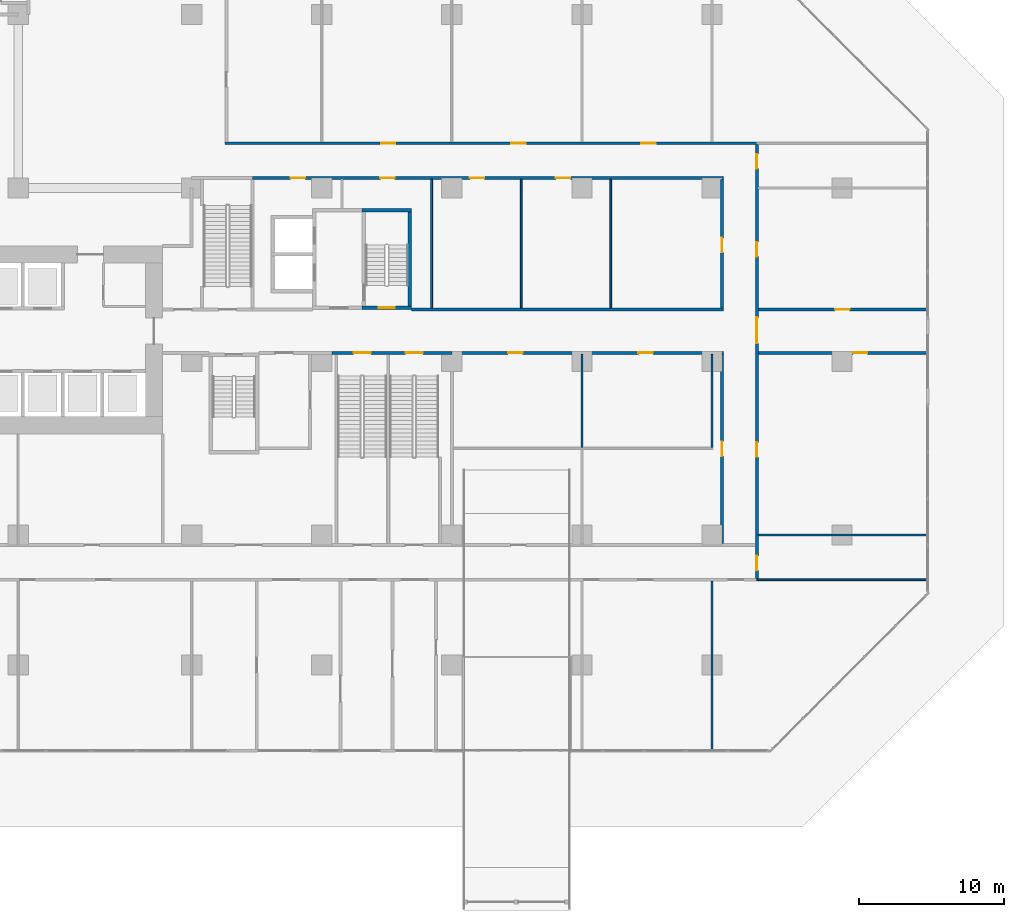
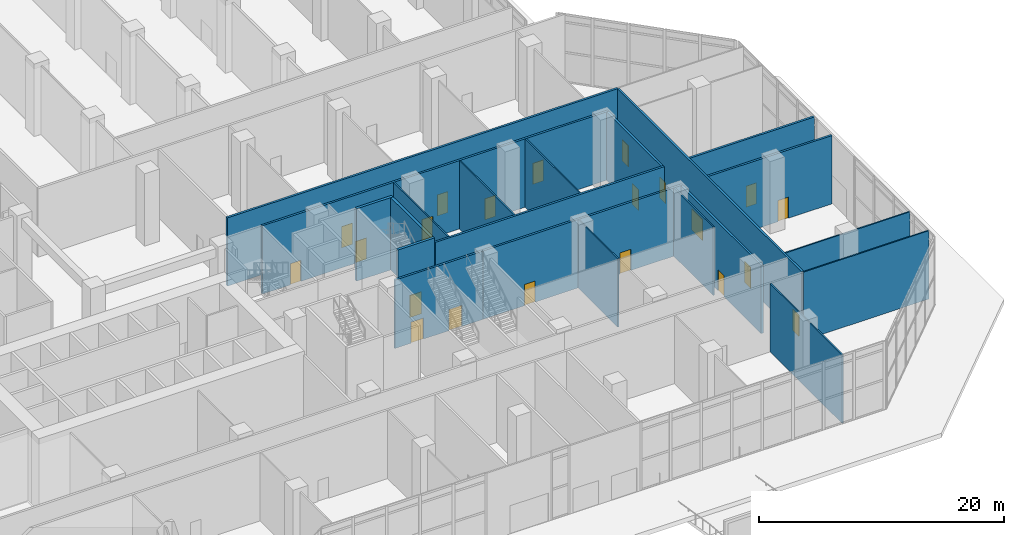
# One storey, part 22 of 34: 21 doors, 21 walls, 21 openings.
"""IFC4 building model written with IfcOpenShell, lengths in metres."""

from ifc_helpers import new_model, si_unit, direction, frame, frame_2d, origin, place, context, subcontext, project, spatial, rectangle, extrude, material, layer, layer_set, type_object, element, fill, save


model = new_model("IFC4")

# Units and contexts
model_context = context("Model", 3, precision=1e-05, world=origin(), true_north=direction((0.0, 1.0)))
body_context = subcontext(model_context, "Body", "Model", "MODEL_VIEW")
ifc_project = project(units=[si_unit("LENGTHUNIT", "METRE"), si_unit("AREAUNIT", "SQUARE_METRE"), si_unit("VOLUMEUNIT", "CUBIC_METRE"), si_unit("PLANEANGLEUNIT", "RADIAN"), si_unit("MASSUNIT", "GRAM", prefix="KILO")], contexts=[model_context])

# Site, building, storey
site_placement = place(None, origin())
site = spatial("IfcSite", under=ifc_project, at=site_placement, CompositionType="ELEMENT")
building_placement = place(site_placement, origin())
building = spatial("IfcBuilding", under=site, at=building_placement, Name="Chenar Terraces", CompositionType="ELEMENT")
storey_placement = place(building_placement, origin())
storey = spatial("IfcBuildingStorey", under=building, at=storey_placement, Name="L00", CompositionType="ELEMENT", Elevation=0.0)

# Walls
ifc_material_1 = material(Name="Gypsum board on steel studs with mineral wool", Category="steel")
ifc_layer_1 = layer(ifc_material_1, 0.125)
ifc_layer_set_1 = layer_set([ifc_layer_1], Name="Gypsum board on steel studs with mineral wool")
wall_type_1 = type_object("IfcWallType", Name="Acoustic partition 125", PredefinedType="PARTITIONING", material=ifc_layer_set_1)
for number, where, z_axis, x_axis, name in (
    (1, (52.60009765625, 15.699951171875, 0.0), (0.0, 0.0, 1.0), (0.0, 1.0, 0.0), "Partition L00-113"),
    (2, (58.800048828125, 15.699951171875, 0.0), (0.0, 0.0, 1.0), (0.0, 1.0, 0.0), "Partition L00-121"),
):
    element("IfcWall", number, at=place(storey_placement, frame(where, z_axis=z_axis, x_axis=x_axis)), inside=storey, type_object=wall_type_1, Name=name, PredefinedType="PARTITIONING", context=body_context, shape_type="SweptSolid", body=[
        extrude(rectangle(XDim=8.900146484375, YDim=0.125, at=frame_2d((4.4501953125, 0.0))), origin(), (0.0, 0.0, 1.0), 6.800048828125),
    ])
wall_1_placement = place(storey_placement, frame((63.0, 6.06201171875, 0.0), z_axis=(0.0, 0.0, 1.0), x_axis=(0.0, 1.0, 0.0)))
element("IfcWall", 3, at=wall_1_placement, inside=storey, type_object=wall_type_1, Name="Partition L00-124", PredefinedType="PARTITIONING", context=body_context, shape_type="SweptSolid", body=[
    extrude(rectangle(XDim=6.43798828125, YDim=0.125, at=frame_2d((3.218994140625, 0.0))), origin(), (0.0, 0.0, 1.0), 6.800048828125),
])
wall_2_placement = place(storey_placement, frame((65.0, 15.699951171875, 0.0), z_axis=(0.0, 0.0, 1.0), x_axis=(0.0, 1.0, 0.0)))
element("IfcWall", 4, at=wall_2_placement, inside=storey, type_object=wall_type_1, Name="Partition L00-127", PredefinedType="PARTITIONING", context=body_context, shape_type="SweptSolid", body=[
    extrude(rectangle(XDim=8.900146484375, YDim=0.125, at=frame_2d((4.4501953125, 0.0))), origin(), (0.0, 0.0, 1.0), 6.800048828125),
])
wall_3_placement = place(storey_placement, frame((72.0, -14.925048828125, 0.0), z_axis=(0.0, 0.0, 1.0), x_axis=(0.0, 1.0, 0.0)))
element("IfcWall", 5, at=wall_3_placement, inside=storey, type_object=wall_type_1, Name="Partition L00-128", PredefinedType="PARTITIONING", context=body_context, shape_type="SweptSolid", body=[
    extrude(rectangle(XDim=11.72509765625, YDim=0.125, at=frame_2d((5.862548828125, 0.0))), origin(), (0.0, 0.0, 1.0), 6.800048828125),
])
wall_4_placement = place(storey_placement, frame((72.0, 6.06201171875, 0.0), z_axis=(0.0, 0.0, 1.0), x_axis=(0.0, 1.0, 0.0)))
element("IfcWall", 6, at=wall_4_placement, inside=storey, type_object=wall_type_1, Name="Partition L00-129", PredefinedType="PARTITIONING", context=body_context, shape_type="SweptSolid", body=[
    extrude(rectangle(XDim=6.43798828125, YDim=0.125, at=frame_2d((3.218994140625, 0.0))), origin(), (0.0, 0.0, 1.0), 6.800048828125),
])
wall_5_placement = place(storey_placement, frame((75.10009765625, -3.10009765625, 0.0), z_axis=(0.0, 0.0, 1.0), x_axis=(1.0, 0.0, 0.0)))
element("IfcWall", 7, at=wall_5_placement, inside=storey, type_object=wall_type_1, Name="Partition L00-134", PredefinedType="PARTITIONING", context=body_context, shape_type="SweptSolid", body=[
    extrude(rectangle(XDim=11.824951171875, YDim=0.125, at=frame_2d((5.91259765625, 0.0))), origin(), (0.0, 0.0, 1.0), 6.800048828125),
])
wall_6_placement = place(storey_placement, frame((75.199951171875, 0.0, 0.0), z_axis=(0.0, 0.0, 1.0), x_axis=(1.0, 0.0, 0.0)))
element("IfcWall", 8, at=wall_6_placement, inside=storey, type_object=wall_type_1, Name="Partition L00-137", PredefinedType="PARTITIONING", context=body_context, shape_type="SweptSolid", body=[
    extrude(rectangle(XDim=11.72509765625, YDim=0.125, at=frame_2d((5.862548828125, 0.0))), origin(), (0.0, 0.0, 1.0), 6.800048828125),
])

# Wall, opening, door
ifc_material_2 = material(Name="Concrete C70/85", Category="concrete")
ifc_layer_2 = layer(ifc_material_2, 0.25)
ifc_layer_set_2 = layer_set([ifc_layer_2], Name="Concrete C70/85")
wall_type_2 = type_object("IfcWallType", Name="Core wall 250 Concrete C70/85", PredefinedType="SHEAR", material=ifc_layer_set_2)
wall_7_placement = place(storey_placement, frame((47.77490234375, 15.72509765625, 0.0), z_axis=(0.0, 0.0, 1.0), x_axis=(1.0, 0.0, 0.0)))
wall_7 = element("IfcWall", 9, at=wall_7_placement, inside=storey, type_object=wall_type_2, Name="Core wall ST3_S L00", PredefinedType="SHEAR", context=body_context, shape_type="SweptSolid", body=[
    extrude(rectangle(XDim=3.4501953125, YDim=0.25, at=frame_2d((1.72509765625, 0.0))), origin(), (0.0, 0.0, 1.0), 7.199951171875),
])
opening_1_placement = place(wall_7_placement, frame((1.175048828125, 0.0, 0.0)))
opening_1 = element("IfcOpeningElement", 10, at=opening_1_placement, cuts=wall_7, Name="Opening DL00-C8", PredefinedType="OPENING", context=body_context, shape_type="SweptSolid", body=[
    extrude(rectangle(XDim=1.10009765625, YDim=2.199951171875, at=frame_2d((0.550048828125, 1.10009765625))), frame((0.0, 0.135009765625, 0.0), z_axis=(0.0, -1.0, 0.0), x_axis=(1.0, 0.0, 0.0)), (0.0, 0.0, 1.0), 0.27001953125),
])
ifc_material_3 = material(Name="Steel-framed fire-resisting door leaf", Category="steel")
door_type_1 = type_object("IfcDoorType", Name="Stair fire door FD60 1100 x 2200", OperationType="SINGLE_SWING_LEFT", PredefinedType="DOOR", material=ifc_material_3)
door_1_placement = place(opening_1_placement, frame((1.10009765625, 0.0, 0.0), z_axis=(0.0, 0.0, 1.0), x_axis=(-1.0, 0.0, 0.0)))
door_1 = element("IfcDoor", 11, at=door_1_placement, inside=storey, type_object=door_type_1, Name="Stair door DL00-C8", OperationType="SINGLE_SWING_LEFT", OverallHeight=2.199951171875, OverallWidth=1.10009765625, PredefinedType="DOOR", context=body_context, shape_type="SweptSolid", body=[
    extrude(rectangle(XDim=1.10009765625, YDim=2.199951171875, at=frame_2d((0.550048828125, 1.10009765625))), frame((0.0, 0.02490234375, 0.0), z_axis=(0.0, -1.0, 0.0), x_axis=(1.0, 0.0, 0.0)), (0.0, 0.0, 1.0), 0.050048828125),
])
fill(opening_1, door_1)

# Walls
wall_8_placement = place(storey_placement, frame((47.77490234375, 22.47509765625, 0.0), z_axis=(0.0, 0.0, 1.0), x_axis=(1.0, 0.0, 0.0)))
element("IfcWall", 12, at=wall_8_placement, inside=storey, type_object=wall_type_2, Name="Core wall ST3_N L00", PredefinedType="SHEAR", context=body_context, shape_type="SweptSolid", body=[
    extrude(rectangle(XDim=3.4501953125, YDim=0.25, at=frame_2d((1.72509765625, 0.0))), origin(), (0.0, 0.0, 1.0), 7.199951171875),
])
wall_9_placement = place(storey_placement, frame((51.10009765625, 15.85009765625, 0.0), z_axis=(0.0, 0.0, 1.0), x_axis=(0.0, 1.0, 0.0)))
element("IfcWall", 13, at=wall_9_placement, inside=storey, type_object=wall_type_2, Name="Core wall ST3_E L00", PredefinedType="SHEAR", context=body_context, shape_type="SweptSolid", body=[
    extrude(rectangle(XDim=6.5, YDim=0.25, at=frame_2d((3.25, 0.0))), origin(), (0.0, 0.0, 1.0), 7.199951171875),
])

# Wall, openings, doors
ifc_material_4 = material(Name="Gypsum board on steel studs with fire boards", Category="steel")
ifc_layer_3 = layer(ifc_material_4, 0.199951171875)
ifc_layer_set_3 = layer_set([ifc_layer_3], Name="Gypsum board on steel studs with fire boards")
wall_type_3 = type_object("IfcWallType", Name="Corridor wall 200", PredefinedType="PARTITIONING", material=ifc_layer_set_3)
wall_10_placement = place(storey_placement, frame((38.300048828125, 27.10009765625, 0.0), z_axis=(0.0, 0.0, 1.0), x_axis=(1.0, 0.0, 0.0)))
wall_10 = element("IfcWall", 14, at=wall_10_placement, inside=storey, type_object=wall_type_3, Name="Partition L00-094", PredefinedType="PARTITIONING", context=body_context, shape_type="SweptSolid", body=[
    extrude(rectangle(XDim=36.800048828125, YDim=0.199951171875, at=frame_2d((18.39990234375, 0.0))), origin(), (0.0, 0.0, 1.0), 6.800048828125),
])
opening_2_placement = place(wall_10_placement, frame((10.800048828125, 0.0, 0.0)))
opening_2 = element("IfcOpeningElement", 15, at=opening_2_placement, cuts=wall_10, Name="Opening DL00-28", PredefinedType="OPENING", context=body_context, shape_type="SweptSolid", body=[
    extrude(rectangle(XDim=1.0, YDim=2.10009765625, at=frame_2d((0.5, 1.050048828125))), frame((0.0, 0.10986328125, 0.0), z_axis=(0.0, -1.0, 0.0), x_axis=(1.0, 0.0, 0.0)), (0.0, 0.0, 1.0), 0.219970703125),
])
opening_3_placement = place(wall_10_placement, frame((19.800048828125, 0.0, 0.0)))
opening_3 = element("IfcOpeningElement", 16, at=opening_3_placement, cuts=wall_10, Name="Opening DL00-30", PredefinedType="OPENING", context=body_context, shape_type="SweptSolid", body=[
    extrude(rectangle(XDim=1.0, YDim=2.10009765625, at=frame_2d((0.5, 1.050048828125))), frame((0.0, 0.10986328125, 0.0), z_axis=(0.0, -1.0, 0.0), x_axis=(1.0, 0.0, 0.0)), (0.0, 0.0, 1.0), 0.219970703125),
])
opening_4_placement = place(wall_10_placement, frame((28.800048828125, 0.0, 0.0)))
opening_4 = element("IfcOpeningElement", 17, at=opening_4_placement, cuts=wall_10, Name="Opening DL00-32", PredefinedType="OPENING", context=body_context, shape_type="SweptSolid", body=[
    extrude(rectangle(XDim=1.0, YDim=2.10009765625, at=frame_2d((0.5, 1.050048828125))), frame((0.0, 0.10986328125, 0.0), z_axis=(0.0, -1.0, 0.0), x_axis=(1.0, 0.0, 0.0)), (0.0, 0.0, 1.0), 0.219970703125),
])
ifc_material_5 = material(Name="Steel-framed fire-resisting door leaf", Category="steel")
door_type_2 = type_object("IfcDoorType", Name="Fire door FD60 1000 x 2100", OperationType="SINGLE_SWING_LEFT", PredefinedType="DOOR", material=ifc_material_5)
door_2_placement = place(opening_2_placement, origin())
door_2 = element("IfcDoor", 18, at=door_2_placement, inside=storey, type_object=door_type_2, Name="Door DL00-28", OperationType="SINGLE_SWING_RIGHT", OverallHeight=2.10009765625, OverallWidth=1.0, PredefinedType="DOOR", context=body_context, shape_type="SweptSolid", body=[
    extrude(rectangle(XDim=1.0, YDim=2.10009765625, at=frame_2d((0.5, 1.050048828125))), frame((0.0, 0.02490234375, 0.0), z_axis=(0.0, -1.0, 0.0), x_axis=(1.0, 0.0, 0.0)), (0.0, 0.0, 1.0), 0.050048828125),
])
fill(opening_2, door_2)
door_3_placement = place(opening_3_placement, origin())
door_3 = element("IfcDoor", 19, at=door_3_placement, inside=storey, type_object=door_type_2, Name="Door DL00-30", OperationType="SINGLE_SWING_RIGHT", OverallHeight=2.10009765625, OverallWidth=1.0, PredefinedType="DOOR", context=body_context, shape_type="SweptSolid", body=[
    extrude(rectangle(XDim=1.0, YDim=2.10009765625, at=frame_2d((0.5, 1.050048828125))), frame((0.0, 0.02490234375, 0.0), z_axis=(0.0, -1.0, 0.0), x_axis=(1.0, 0.0, 0.0)), (0.0, 0.0, 1.0), 0.050048828125),
])
fill(opening_3, door_3)
door_4_placement = place(opening_4_placement, origin())
door_4 = element("IfcDoor", 20, at=door_4_placement, inside=storey, type_object=door_type_2, Name="Door DL00-32", OperationType="SINGLE_SWING_RIGHT", OverallHeight=2.10009765625, OverallWidth=1.0, PredefinedType="DOOR", context=body_context, shape_type="SweptSolid", body=[
    extrude(rectangle(XDim=1.0, YDim=2.10009765625, at=frame_2d((0.5, 1.050048828125))), frame((0.0, 0.02490234375, 0.0), z_axis=(0.0, -1.0, 0.0), x_axis=(1.0, 0.0, 0.0)), (0.0, 0.0, 1.0), 0.050048828125),
])
fill(opening_4, door_4)

wall_11_placement = place(storey_placement, frame((40.199951171875, 24.699951171875, 0.0), z_axis=(0.0, 0.0, 1.0), x_axis=(1.0, 0.0, 0.0)))
wall_11 = element("IfcWall", 21, at=wall_11_placement, inside=storey, type_object=wall_type_3, Name="Partition L00-098", PredefinedType="PARTITIONING", context=body_context, shape_type="SweptSolid", body=[
    extrude(rectangle(XDim=32.60009765625, YDim=0.199951171875, at=frame_2d((16.300048828125, 0.0))), origin(), (0.0, 0.0, 1.0), 6.800048828125),
])
opening_5_placement = place(wall_11_placement, frame((2.64990234375, 0.0, 0.0)))
opening_5 = element("IfcOpeningElement", 22, at=opening_5_placement, cuts=wall_11, Name="Opening DL00-3", PredefinedType="OPENING", context=body_context, shape_type="SweptSolid", body=[
    extrude(rectangle(XDim=1.0, YDim=2.10009765625, at=frame_2d((0.5, 1.050048828125))), frame((0.0, 0.10986328125, 0.0), z_axis=(0.0, -1.0, 0.0), x_axis=(1.0, 0.0, 0.0)), (0.0, 0.0, 1.0), 0.219970703125),
])
opening_6_placement = place(wall_11_placement, frame((8.85009765625, 0.0, 0.0)))
opening_6 = element("IfcOpeningElement", 23, at=opening_6_placement, cuts=wall_11, Name="Opening DL00-4", PredefinedType="OPENING", context=body_context, shape_type="SweptSolid", body=[
    extrude(rectangle(XDim=1.0, YDim=2.10009765625, at=frame_2d((0.5, 1.050048828125))), frame((0.0, 0.10986328125, 0.0), z_axis=(0.0, -1.0, 0.0), x_axis=(1.0, 0.0, 0.0)), (0.0, 0.0, 1.0), 0.219970703125),
])
opening_7_placement = place(wall_11_placement, frame((15.050048828125, 0.0, 0.0)))
opening_7 = element("IfcOpeningElement", 24, at=opening_7_placement, cuts=wall_11, Name="Opening DL00-5", PredefinedType="OPENING", context=body_context, shape_type="SweptSolid", body=[
    extrude(rectangle(XDim=1.0, YDim=2.10009765625, at=frame_2d((0.5, 1.050048828125))), frame((0.0, 0.10986328125, 0.0), z_axis=(0.0, -1.0, 0.0), x_axis=(1.0, 0.0, 0.0)), (0.0, 0.0, 1.0), 0.219970703125),
])
opening_8_placement = place(wall_11_placement, frame((21.0, 0.0, 0.0)))
opening_8 = element("IfcOpeningElement", 25, at=opening_8_placement, cuts=wall_11, Name="Opening DL00-6", PredefinedType="OPENING", context=body_context, shape_type="SweptSolid", body=[
    extrude(rectangle(XDim=1.0, YDim=2.10009765625, at=frame_2d((0.5, 1.050048828125))), frame((0.0, 0.10986328125, 0.0), z_axis=(0.0, -1.0, 0.0), x_axis=(1.0, 0.0, 0.0)), (0.0, 0.0, 1.0), 0.219970703125),
])
door_5_placement = place(opening_5_placement, frame((1.0, 0.0, 0.0), z_axis=(0.0, 0.0, 1.0), x_axis=(-1.0, 0.0, 0.0)))
door_5 = element("IfcDoor", 26, at=door_5_placement, inside=storey, type_object=door_type_2, Name="Door DL00-3", OperationType="SINGLE_SWING_LEFT", OverallHeight=2.10009765625, OverallWidth=1.0, PredefinedType="DOOR", context=body_context, shape_type="SweptSolid", body=[
    extrude(rectangle(XDim=1.0, YDim=2.10009765625, at=frame_2d((0.5, 1.050048828125))), frame((0.0, 0.02490234375, 0.0), z_axis=(0.0, -1.0, 0.0), x_axis=(1.0, 0.0, 0.0)), (0.0, 0.0, 1.0), 0.050048828125),
])
fill(opening_5, door_5)
door_6_placement = place(opening_6_placement, frame((1.0, 0.0, 0.0), z_axis=(0.0, 0.0, 1.0), x_axis=(-1.0, 0.0, 0.0)))
door_6 = element("IfcDoor", 27, at=door_6_placement, inside=storey, type_object=door_type_2, Name="Door DL00-4", OperationType="SINGLE_SWING_LEFT", OverallHeight=2.10009765625, OverallWidth=1.0, PredefinedType="DOOR", context=body_context, shape_type="SweptSolid", body=[
    extrude(rectangle(XDim=1.0, YDim=2.10009765625, at=frame_2d((0.5, 1.050048828125))), frame((0.0, 0.02490234375, 0.0), z_axis=(0.0, -1.0, 0.0), x_axis=(1.0, 0.0, 0.0)), (0.0, 0.0, 1.0), 0.050048828125),
])
fill(opening_6, door_6)
door_7_placement = place(opening_7_placement, frame((1.0, 0.0, 0.0), z_axis=(0.0, 0.0, 1.0), x_axis=(-1.0, 0.0, 0.0)))
door_7 = element("IfcDoor", 28, at=door_7_placement, inside=storey, type_object=door_type_2, Name="Door DL00-5", OperationType="SINGLE_SWING_RIGHT", OverallHeight=2.10009765625, OverallWidth=1.0, PredefinedType="DOOR", context=body_context, shape_type="SweptSolid", body=[
    extrude(rectangle(XDim=1.0, YDim=2.10009765625, at=frame_2d((0.5, 1.050048828125))), frame((0.0, 0.02490234375, 0.0), z_axis=(0.0, -1.0, 0.0), x_axis=(1.0, 0.0, 0.0)), (0.0, 0.0, 1.0), 0.050048828125),
])
fill(opening_7, door_7)
door_8_placement = place(opening_8_placement, frame((1.0, 0.0, 0.0), z_axis=(0.0, 0.0, 1.0), x_axis=(-1.0, 0.0, 0.0)))
door_8 = element("IfcDoor", 29, at=door_8_placement, inside=storey, type_object=door_type_2, Name="Door DL00-6", OperationType="SINGLE_SWING_LEFT", OverallHeight=2.10009765625, OverallWidth=1.0, PredefinedType="DOOR", context=body_context, shape_type="SweptSolid", body=[
    extrude(rectangle(XDim=1.0, YDim=2.10009765625, at=frame_2d((0.5, 1.050048828125))), frame((0.0, 0.02490234375, 0.0), z_axis=(0.0, -1.0, 0.0), x_axis=(1.0, 0.0, 0.0)), (0.0, 0.0, 1.0), 0.050048828125),
])
fill(opening_8, door_8)

# Wall
wall_12_placement = place(storey_placement, frame((51.22509765625, 15.60009765625, 0.0), z_axis=(0.0, 0.0, 1.0), x_axis=(1.0, 0.0, 0.0)))
element("IfcWall", 30, at=wall_12_placement, inside=storey, type_object=wall_type_3, Name="Partition L00-112", PredefinedType="PARTITIONING", context=body_context, shape_type="SweptSolid", body=[
    extrude(rectangle(XDim=21.574951171875, YDim=0.199951171875, at=frame_2d((10.78759765625, 0.0))), origin(), (0.0, 0.0, 1.0), 6.800048828125),
])

# Wall, openings, doors
wall_13_placement = place(storey_placement, frame((54.0, 12.60009765625, 0.0), z_axis=(0.0, 0.0, 1.0), x_axis=(1.0, 0.0, 0.0)))
wall_13 = element("IfcWall", 31, at=wall_13_placement, inside=storey, type_object=wall_type_3, Name="Partition L00-117", PredefinedType="PARTITIONING", context=body_context, shape_type="SweptSolid", body=[
    extrude(rectangle(XDim=18.800048828125, YDim=0.199951171875, at=frame_2d((9.39990234375, 0.0))), origin(), (0.0, 0.0, 1.0), 6.800048828125),
])
opening_9_placement = place(wall_13_placement, frame((3.89990234375, 0.0, 0.0)))
opening_9 = element("IfcOpeningElement", 32, at=opening_9_placement, cuts=wall_13, Name="Opening DL00-1", PredefinedType="OPENING", context=body_context, shape_type="SweptSolid", body=[
    extrude(rectangle(XDim=1.0, YDim=2.10009765625, at=frame_2d((0.5, 1.050048828125))), frame((0.0, 0.10986328125, 0.0), z_axis=(0.0, -1.0, 0.0), x_axis=(1.0, 0.0, 0.0)), (0.0, 0.0, 1.0), 0.219970703125),
])
opening_10_placement = place(wall_13_placement, frame((12.89990234375, 0.0, 0.0)))
opening_10 = element("IfcOpeningElement", 33, at=opening_10_placement, cuts=wall_13, Name="Opening DL00-2", PredefinedType="OPENING", context=body_context, shape_type="SweptSolid", body=[
    extrude(rectangle(XDim=1.0, YDim=2.10009765625, at=frame_2d((0.5, 1.050048828125))), frame((0.0, 0.10986328125, 0.0), z_axis=(0.0, -1.0, 0.0), x_axis=(1.0, 0.0, 0.0)), (0.0, 0.0, 1.0), 0.219970703125),
])
door_9_placement = place(opening_9_placement, frame((1.0, 0.0, 0.0), z_axis=(0.0, 0.0, 1.0), x_axis=(-1.0, 0.0, 0.0)))
door_9 = element("IfcDoor", 34, at=door_9_placement, inside=storey, type_object=door_type_2, Name="Door DL00-1", OperationType="SINGLE_SWING_RIGHT", OverallHeight=2.10009765625, OverallWidth=1.0, PredefinedType="DOOR", context=body_context, shape_type="SweptSolid", body=[
    extrude(rectangle(XDim=1.0, YDim=2.10009765625, at=frame_2d((0.5, 1.050048828125))), frame((0.0, 0.02490234375, 0.0), z_axis=(0.0, -1.0, 0.0), x_axis=(1.0, 0.0, 0.0)), (0.0, 0.0, 1.0), 0.050048828125),
])
fill(opening_9, door_9)
door_10_placement = place(opening_10_placement, frame((1.0, 0.0, 0.0), z_axis=(0.0, 0.0, 1.0), x_axis=(-1.0, 0.0, 0.0)))
door_10 = element("IfcDoor", 35, at=door_10_placement, inside=storey, type_object=door_type_2, Name="Door DL00-2", OperationType="SINGLE_SWING_RIGHT", OverallHeight=2.10009765625, OverallWidth=1.0, PredefinedType="DOOR", context=body_context, shape_type="SweptSolid", body=[
    extrude(rectangle(XDim=1.0, YDim=2.10009765625, at=frame_2d((0.5, 1.050048828125))), frame((0.0, 0.02490234375, 0.0), z_axis=(0.0, -1.0, 0.0), x_axis=(1.0, 0.0, 0.0)), (0.0, 0.0, 1.0), 0.050048828125),
])
fill(opening_10, door_10)

# Wall, opening, door
wall_14_placement = place(storey_placement, frame((72.699951171875, -0.60009765625, 0.0), z_axis=(0.0, 0.0, 1.0), x_axis=(0.0, 1.0, 0.0)))
wall_14 = element("IfcWall", 36, at=wall_14_placement, inside=storey, type_object=wall_type_3, Name="Partition L00-132", PredefinedType="PARTITIONING", context=body_context, shape_type="SweptSolid", body=[
    extrude(rectangle(XDim=13.10009765625, YDim=0.199951171875, at=frame_2d((6.550048828125, 0.0))), origin(), (0.0, 0.0, 1.0), 6.800048828125),
])
opening_11_placement = place(wall_14_placement, frame((6.050048828125, 0.0, 0.0)))
opening_11 = element("IfcOpeningElement", 37, at=opening_11_placement, cuts=wall_14, Name="Opening DL00-9", PredefinedType="OPENING", context=body_context, shape_type="SweptSolid", body=[
    extrude(rectangle(XDim=1.0, YDim=2.10009765625, at=frame_2d((0.5, 1.050048828125))), frame((0.0, 0.10986328125, 0.0), z_axis=(0.0, -1.0, 0.0), x_axis=(1.0, 0.0, 0.0)), (0.0, 0.0, 1.0), 0.219970703125),
])
door_11_placement = place(opening_11_placement, frame((1.0, 0.0, 0.0), z_axis=(0.0, 0.0, 1.0), x_axis=(-1.0, 0.0, 0.0)))
door_11 = element("IfcDoor", 38, at=door_11_placement, inside=storey, type_object=door_type_2, Name="Door DL00-9", OperationType="SINGLE_SWING_LEFT", OverallHeight=2.10009765625, OverallWidth=1.0, PredefinedType="DOOR", context=body_context, shape_type="SweptSolid", body=[
    extrude(rectangle(XDim=1.0, YDim=2.10009765625, at=frame_2d((0.5, 1.050048828125))), frame((0.0, 0.02490234375, 0.0), z_axis=(0.0, -1.0, 0.0), x_axis=(1.0, 0.0, 0.0)), (0.0, 0.0, 1.0), 0.050048828125),
])
fill(opening_11, door_11)

wall_15_placement = place(storey_placement, frame((72.699951171875, 15.699951171875, 0.0), z_axis=(0.0, 0.0, 1.0), x_axis=(0.0, 1.0, 0.0)))
wall_15 = element("IfcWall", 39, at=wall_15_placement, inside=storey, type_object=wall_type_3, Name="Partition L00-133", PredefinedType="PARTITIONING", context=body_context, shape_type="SweptSolid", body=[
    extrude(rectangle(XDim=8.900146484375, YDim=0.199951171875, at=frame_2d((4.4501953125, 0.0))), origin(), (0.0, 0.0, 1.0), 6.800048828125),
])
opening_12_placement = place(wall_15_placement, frame((3.85009765625, 0.0, 0.0)))
opening_12 = element("IfcOpeningElement", 40, at=opening_12_placement, cuts=wall_15, Name="Opening DL00-7", PredefinedType="OPENING", context=body_context, shape_type="SweptSolid", body=[
    extrude(rectangle(XDim=1.0, YDim=2.10009765625, at=frame_2d((0.5, 1.050048828125))), frame((0.0, 0.10986328125, 0.0), z_axis=(0.0, -1.0, 0.0), x_axis=(1.0, 0.0, 0.0)), (0.0, 0.0, 1.0), 0.219970703125),
])
door_12_placement = place(opening_12_placement, origin())
door_12 = element("IfcDoor", 41, at=door_12_placement, inside=storey, type_object=door_type_2, Name="Door DL00-7", OperationType="SINGLE_SWING_RIGHT", OverallHeight=2.10009765625, OverallWidth=1.0, PredefinedType="DOOR", context=body_context, shape_type="SweptSolid", body=[
    extrude(rectangle(XDim=1.0, YDim=2.10009765625, at=frame_2d((0.5, 1.050048828125))), frame((0.0, 0.02490234375, 0.0), z_axis=(0.0, -1.0, 0.0), x_axis=(1.0, 0.0, 0.0)), (0.0, 0.0, 1.0), 0.050048828125),
])
fill(opening_12, door_12)

# Wall, openings, doors
wall_16_placement = place(storey_placement, frame((75.10009765625, -3.0, 0.0), z_axis=(0.0, 0.0, 1.0), x_axis=(0.0, 1.0, 0.0)))
wall_16 = element("IfcWall", 42, at=wall_16_placement, inside=storey, type_object=wall_type_3, Name="Partition L00-135", PredefinedType="PARTITIONING", context=body_context, shape_type="SweptSolid", body=[
    extrude(rectangle(XDim=30.0, YDim=0.199951171875, at=frame_2d((15.0, 0.0))), origin(), (0.0, 0.0, 1.0), 6.800048828125),
])
opening_13_placement = place(wall_16_placement, frame((0.550048828125, 0.0, 0.0)))
opening_13 = element("IfcOpeningElement", 43, at=opening_13_placement, cuts=wall_16, Name="Opening DL00-49", PredefinedType="OPENING", context=body_context, shape_type="SweptSolid", body=[
    extrude(rectangle(XDim=1.0, YDim=2.10009765625, at=frame_2d((0.5, 1.050048828125))), frame((0.0, 0.10986328125, 0.0), z_axis=(0.0, -1.0, 0.0), x_axis=(1.0, 0.0, 0.0)), (0.0, 0.0, 1.0), 0.219970703125),
])
opening_14_placement = place(wall_16_placement, frame((8.39990234375, 0.0, 0.0)))
opening_14 = element("IfcOpeningElement", 44, at=opening_14_placement, cuts=wall_16, Name="Opening DL00-50", PredefinedType="OPENING", context=body_context, shape_type="SweptSolid", body=[
    extrude(rectangle(XDim=1.0, YDim=2.10009765625, at=frame_2d((0.5, 1.050048828125))), frame((0.0, 0.10986328125, 0.0), z_axis=(0.0, -1.0, 0.0), x_axis=(1.0, 0.0, 0.0)), (0.0, 0.0, 1.0), 0.219970703125),
])
opening_15_placement = place(wall_16_placement, frame((22.25, 0.0, 0.0)))
opening_15 = element("IfcOpeningElement", 45, at=opening_15_placement, cuts=wall_16, Name="Opening DL00-53", PredefinedType="OPENING", context=body_context, shape_type="SweptSolid", body=[
    extrude(rectangle(XDim=1.0, YDim=2.10009765625, at=frame_2d((0.5, 1.050048828125))), frame((0.0, 0.10986328125, 0.0), z_axis=(0.0, -1.0, 0.0), x_axis=(1.0, 0.0, 0.0)), (0.0, 0.0, 1.0), 0.219970703125),
])
opening_16_placement = place(wall_16_placement, frame((28.35009765625, 0.0, 0.0)))
opening_16 = element("IfcOpeningElement", 46, at=opening_16_placement, cuts=wall_16, Name="Opening DL00-54", PredefinedType="OPENING", context=body_context, shape_type="SweptSolid", body=[
    extrude(rectangle(XDim=1.0, YDim=2.10009765625, at=frame_2d((0.5, 1.050048828125))), frame((0.0, 0.10986328125, 0.0), z_axis=(0.0, -1.0, 0.0), x_axis=(1.0, 0.0, 0.0)), (0.0, 0.0, 1.0), 0.219970703125),
])
opening_17_placement = place(wall_16_placement, frame((16.25, 0.0, 0.0)))
opening_17 = element("IfcOpeningElement", 47, at=opening_17_placement, cuts=wall_16, Name="Opening DL00-112", PredefinedType="OPENING", context=body_context, shape_type="SweptSolid", body=[
    extrude(rectangle(XDim=1.800048828125, YDim=2.10009765625, at=frame_2d((0.89990234375, 1.050048828125))), frame((0.0, 0.10986328125, 0.0), z_axis=(0.0, -1.0, 0.0), x_axis=(1.0, 0.0, 0.0)), (0.0, 0.0, 1.0), 0.219970703125),
])
door_13_placement = place(opening_13_placement, frame((1.0, 0.0, 0.0), z_axis=(0.0, 0.0, 1.0), x_axis=(-1.0, 0.0, 0.0)))
door_13 = element("IfcDoor", 48, at=door_13_placement, inside=storey, type_object=door_type_2, Name="Door DL00-49", OperationType="SINGLE_SWING_RIGHT", OverallHeight=2.10009765625, OverallWidth=1.0, PredefinedType="DOOR", context=body_context, shape_type="SweptSolid", body=[
    extrude(rectangle(XDim=1.0, YDim=2.10009765625, at=frame_2d((0.5, 1.050048828125))), frame((0.0, 0.02490234375, 0.0), z_axis=(0.0, -1.0, 0.0), x_axis=(1.0, 0.0, 0.0)), (0.0, 0.0, 1.0), 0.050048828125),
])
fill(opening_13, door_13)
door_14_placement = place(opening_14_placement, frame((1.0, 0.0, 0.0), z_axis=(0.0, 0.0, 1.0), x_axis=(-1.0, 0.0, 0.0)))
door_14 = element("IfcDoor", 49, at=door_14_placement, inside=storey, type_object=door_type_2, Name="Door DL00-50", OperationType="SINGLE_SWING_LEFT", OverallHeight=2.10009765625, OverallWidth=1.0, PredefinedType="DOOR", context=body_context, shape_type="SweptSolid", body=[
    extrude(rectangle(XDim=1.0, YDim=2.10009765625, at=frame_2d((0.5, 1.050048828125))), frame((0.0, 0.02490234375, 0.0), z_axis=(0.0, -1.0, 0.0), x_axis=(1.0, 0.0, 0.0)), (0.0, 0.0, 1.0), 0.050048828125),
])
fill(opening_14, door_14)
door_15_placement = place(opening_15_placement, frame((1.0, 0.0, 0.0), z_axis=(0.0, 0.0, 1.0), x_axis=(-1.0, 0.0, 0.0)))
door_15 = element("IfcDoor", 50, at=door_15_placement, inside=storey, type_object=door_type_2, Name="Door DL00-53", OperationType="SINGLE_SWING_LEFT", OverallHeight=2.10009765625, OverallWidth=1.0, PredefinedType="DOOR", context=body_context, shape_type="SweptSolid", body=[
    extrude(rectangle(XDim=1.0, YDim=2.10009765625, at=frame_2d((0.5, 1.050048828125))), frame((0.0, 0.02490234375, 0.0), z_axis=(0.0, -1.0, 0.0), x_axis=(1.0, 0.0, 0.0)), (0.0, 0.0, 1.0), 0.050048828125),
])
fill(opening_15, door_15)
door_16_placement = place(opening_16_placement, frame((1.0, 0.0, 0.0), z_axis=(0.0, 0.0, 1.0), x_axis=(-1.0, 0.0, 0.0)))
door_16 = element("IfcDoor", 51, at=door_16_placement, inside=storey, type_object=door_type_2, Name="Door DL00-54", OperationType="SINGLE_SWING_LEFT", OverallHeight=2.10009765625, OverallWidth=1.0, PredefinedType="DOOR", context=body_context, shape_type="SweptSolid", body=[
    extrude(rectangle(XDim=1.0, YDim=2.10009765625, at=frame_2d((0.5, 1.050048828125))), frame((0.0, 0.02490234375, 0.0), z_axis=(0.0, -1.0, 0.0), x_axis=(1.0, 0.0, 0.0)), (0.0, 0.0, 1.0), 0.050048828125),
])
fill(opening_16, door_16)
ifc_material_6 = material(Name="Steel-framed fire-resisting door leaf", Category="steel")
door_type_3 = type_object("IfcDoorType", Name="Fire double door FD60 1800 x 2100", OperationType="DOUBLE_DOOR_SINGLE_SWING", PredefinedType="DOOR", material=ifc_material_6)
door_17_placement = place(opening_17_placement, frame((1.800048828125, 0.0, 0.0), z_axis=(0.0, 0.0, 1.0), x_axis=(-1.0, 0.0, 0.0)))
door_17 = element("IfcDoor", 52, at=door_17_placement, inside=storey, type_object=door_type_3, Name="Door DL00-112", OperationType="DOUBLE_DOOR_SINGLE_SWING", OverallHeight=2.10009765625, OverallWidth=1.800048828125, PredefinedType="DOOR", context=body_context, shape_type="SweptSolid", body=[
    extrude(rectangle(XDim=1.800048828125, YDim=2.10009765625, at=frame_2d((0.89990234375, 1.050048828125))), frame((0.0, 0.02490234375, 0.0), z_axis=(0.0, -1.0, 0.0), x_axis=(1.0, 0.0, 0.0)), (0.0, 0.0, 1.0), 0.050048828125),
])
fill(opening_17, door_17)

# Wall, opening, door
wall_17_placement = place(storey_placement, frame((75.199951171875, 12.60009765625, 0.0), z_axis=(0.0, 0.0, 1.0), x_axis=(1.0, 0.0, 0.0)))
wall_17 = element("IfcWall", 53, at=wall_17_placement, inside=storey, type_object=wall_type_3, Name="Partition L00-138", PredefinedType="PARTITIONING", context=body_context, shape_type="SweptSolid", body=[
    extrude(rectangle(XDim=11.651123046875, YDim=0.199951171875, at=frame_2d((5.82568359375, 0.0))), origin(), (0.0, 0.0, 1.0), 6.800048828125),
])
opening_18_placement = place(wall_17_placement, frame((6.550048828125, 0.0, 0.0)))
opening_18 = element("IfcOpeningElement", 54, at=opening_18_placement, cuts=wall_17, Name="Opening DL00-51", PredefinedType="OPENING", context=body_context, shape_type="SweptSolid", body=[
    extrude(rectangle(XDim=1.0, YDim=2.10009765625, at=frame_2d((0.5, 1.050048828125))), frame((0.0, 0.10986328125, 0.0), z_axis=(0.0, -1.0, 0.0), x_axis=(1.0, 0.0, 0.0)), (0.0, 0.0, 1.0), 0.219970703125),
])
door_18_placement = place(opening_18_placement, frame((1.0, 0.0, 0.0), z_axis=(0.0, 0.0, 1.0), x_axis=(-1.0, 0.0, 0.0)))
door_18 = element("IfcDoor", 55, at=door_18_placement, inside=storey, type_object=door_type_2, Name="Door DL00-51", OperationType="SINGLE_SWING_RIGHT", OverallHeight=2.10009765625, OverallWidth=1.0, PredefinedType="DOOR", context=body_context, shape_type="SweptSolid", body=[
    extrude(rectangle(XDim=1.0, YDim=2.10009765625, at=frame_2d((0.5, 1.050048828125))), frame((0.0, 0.02490234375, 0.0), z_axis=(0.0, -1.0, 0.0), x_axis=(1.0, 0.0, 0.0)), (0.0, 0.0, 1.0), 0.050048828125),
])
fill(opening_18, door_18)

wall_18_placement = place(storey_placement, frame((75.199951171875, 15.60009765625, 0.0), z_axis=(0.0, 0.0, 1.0), x_axis=(1.0, 0.0, 0.0)))
wall_18 = element("IfcWall", 56, at=wall_18_placement, inside=storey, type_object=wall_type_3, Name="Partition L00-139", PredefinedType="PARTITIONING", context=body_context, shape_type="SweptSolid", body=[
    extrude(rectangle(XDim=11.72509765625, YDim=0.199951171875, at=frame_2d((5.862548828125, 0.0))), origin(), (0.0, 0.0, 1.0), 6.800048828125),
])
opening_19_placement = place(wall_18_placement, frame((5.324951171875, 0.0, 0.0)))
opening_19 = element("IfcOpeningElement", 57, at=opening_19_placement, cuts=wall_18, Name="Opening DL00-52", PredefinedType="OPENING", context=body_context, shape_type="SweptSolid", body=[
    extrude(rectangle(XDim=1.0, YDim=2.10009765625, at=frame_2d((0.5, 1.050048828125))), frame((0.0, 0.10986328125, 0.0), z_axis=(0.0, -1.0, 0.0), x_axis=(1.0, 0.0, 0.0)), (0.0, 0.0, 1.0), 0.219970703125),
])
door_19_placement = place(opening_19_placement, origin())
door_19 = element("IfcDoor", 58, at=door_19_placement, inside=storey, type_object=door_type_2, Name="Door DL00-52", OperationType="SINGLE_SWING_LEFT", OverallHeight=2.10009765625, OverallWidth=1.0, PredefinedType="DOOR", context=body_context, shape_type="SweptSolid", body=[
    extrude(rectangle(XDim=1.0, YDim=2.10009765625, at=frame_2d((0.5, 1.050048828125))), frame((0.0, 0.02490234375, 0.0), z_axis=(0.0, -1.0, 0.0), x_axis=(1.0, 0.0, 0.0)), (0.0, 0.0, 1.0), 0.050048828125),
])
fill(opening_19, door_19)

# Wall, openings, doors
ifc_material_7 = material(Name="Reinforced concrete C40/50", Category="concrete")
ifc_layer_4 = layer(ifc_material_7, 0.199951171875)
ifc_layer_set_4 = layer_set([ifc_layer_4], Name="Reinforced concrete C40/50")
wall_type_4 = type_object("IfcWallType", Name="Stair enclosure wall 200 concrete", PredefinedType="SOLIDWALL", material=ifc_layer_set_4)
wall_19_placement = place(storey_placement, frame((45.699951171875, 12.60009765625, 0.0), z_axis=(0.0, 0.0, 1.0), x_axis=(1.0, 0.0, 0.0)))
wall_19 = element("IfcWall", 59, at=wall_19_placement, inside=storey, type_object=wall_type_4, Name="Stair enclosure wall L00-107", PredefinedType="SOLIDWALL", context=body_context, shape_type="SweptSolid", body=[
    extrude(rectangle(XDim=8.300048828125, YDim=0.199951171875, at=frame_2d((4.14990234375, 0.0))), origin(), (0.0, 0.0, 1.0), 6.800048828125),
])
opening_20_placement = place(wall_19_placement, frame((5.10009765625, 0.0, 0.0)))
opening_20 = element("IfcOpeningElement", 60, at=opening_20_placement, cuts=wall_19, Name="Opening DL00-85", PredefinedType="OPENING", context=body_context, shape_type="SweptSolid", body=[
    extrude(rectangle(XDim=1.199951171875, YDim=2.10009765625, at=frame_2d((0.60009765625, 1.050048828125))), frame((0.0, 0.10986328125, 0.0), z_axis=(0.0, -1.0, 0.0), x_axis=(1.0, 0.0, 0.0)), (0.0, 0.0, 1.0), 0.219970703125),
])
opening_21_placement = place(wall_19_placement, frame((1.5, 0.0, 0.0)))
opening_21 = element("IfcOpeningElement", 61, at=opening_21_placement, cuts=wall_19, Name="Opening DL00-93", PredefinedType="OPENING", context=body_context, shape_type="SweptSolid", body=[
    extrude(rectangle(XDim=1.199951171875, YDim=2.10009765625, at=frame_2d((0.60009765625, 1.050048828125))), frame((0.0, 0.10986328125, 0.0), z_axis=(0.0, -1.0, 0.0), x_axis=(1.0, 0.0, 0.0)), (0.0, 0.0, 1.0), 0.219970703125),
])
ifc_material_8 = material(Name="Steel-framed fire-resisting door leaf", Category="steel")
door_type_4 = type_object("IfcDoorType", Name="Fire door FD120 1200 x 2100", OperationType="SINGLE_SWING_LEFT", PredefinedType="DOOR", material=ifc_material_8)
door_20_placement = place(opening_20_placement, frame((1.199951171875, 0.0, 0.0), z_axis=(0.0, 0.0, 1.0), x_axis=(-1.0, 0.0, 0.0)))
door_20 = element("IfcDoor", 62, at=door_20_placement, inside=storey, type_object=door_type_4, Name="Door DL00-85", OperationType="SINGLE_SWING_RIGHT", OverallHeight=2.10009765625, OverallWidth=1.199951171875, PredefinedType="DOOR", context=body_context, shape_type="SweptSolid", body=[
    extrude(rectangle(XDim=1.199951171875, YDim=2.10009765625, at=frame_2d((0.60009765625, 1.050048828125))), frame((0.0, 0.02490234375, 0.0), z_axis=(0.0, -1.0, 0.0), x_axis=(1.0, 0.0, 0.0)), (0.0, 0.0, 1.0), 0.050048828125),
])
fill(opening_20, door_20)
door_21_placement = place(opening_21_placement, frame((1.199951171875, 0.0, 0.0), z_axis=(0.0, 0.0, 1.0), x_axis=(-1.0, 0.0, 0.0)))
door_21 = element("IfcDoor", 63, at=door_21_placement, inside=storey, type_object=door_type_4, Name="Door DL00-93", OperationType="SINGLE_SWING_RIGHT", OverallHeight=2.10009765625, OverallWidth=1.199951171875, PredefinedType="DOOR", context=body_context, shape_type="SweptSolid", body=[
    extrude(rectangle(XDim=1.199951171875, YDim=2.10009765625, at=frame_2d((0.60009765625, 1.050048828125))), frame((0.0, 0.02490234375, 0.0), z_axis=(0.0, -1.0, 0.0), x_axis=(1.0, 0.0, 0.0)), (0.0, 0.0, 1.0), 0.050048828125),
])
fill(opening_21, door_21)

save(model, "model.ifc")
